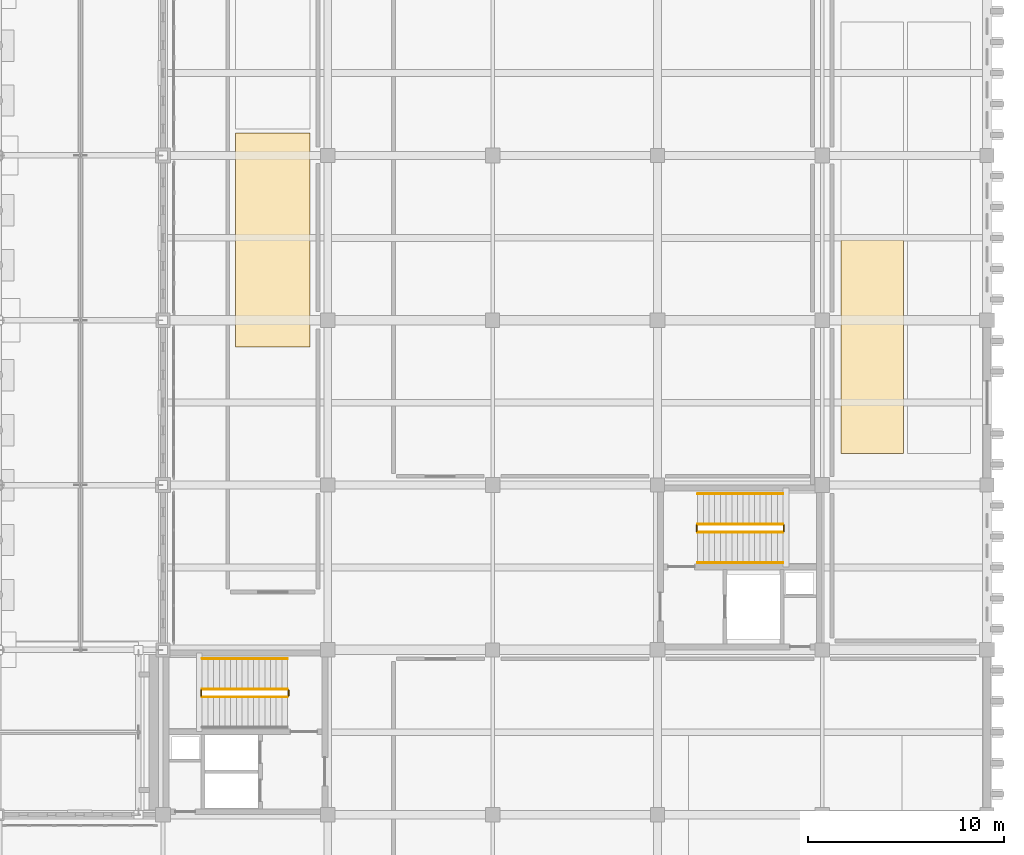
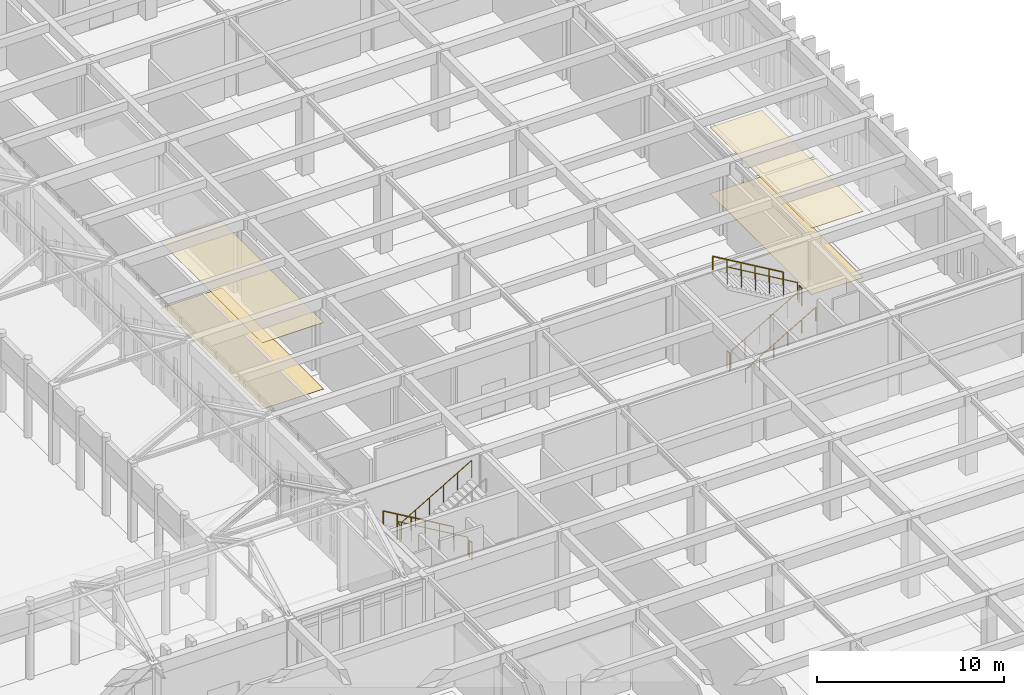
# One storey, part 140 of 143: 11 railings, 4 coverings.
"""IFC4 building model written with IfcOpenShell, lengths in metres."""

from ifc_helpers import new_model, si_unit, direction, frame, origin, origin_2d, place, context, subcontext, project, spatial, rectangle, circle, extrude, material, layer, layer_set, type_object, element, save


model = new_model("IFC4")

# Units and contexts
model_context = context("Model", 3, precision=1e-05, world=origin(), true_north=direction((0.0, 1.0)))
body_context = subcontext(model_context, "Body", "Model", "MODEL_VIEW")
ifc_project = project(units=[si_unit("LENGTHUNIT", "METRE"), si_unit("AREAUNIT", "SQUARE_METRE"), si_unit("VOLUMEUNIT", "CUBIC_METRE"), si_unit("PLANEANGLEUNIT", "RADIAN"), si_unit("MASSUNIT", "GRAM", prefix="KILO")], contexts=[model_context])

# Site, building, storey
site_placement = place(None, origin())
site = spatial("IfcSite", under=ifc_project, at=site_placement, CompositionType="ELEMENT")
building_placement = place(site_placement, origin())
building = spatial("IfcBuilding", under=site, at=building_placement, Name="Kveldsbrygga Polytechnic", CompositionType="ELEMENT")
storey_placement = place(building_placement, origin())
storey = spatial("IfcBuildingStorey", under=building, at=storey_placement, Name="L00", CompositionType="ELEMENT", Elevation=0.0)

# Coverings
ifc_material_1 = material(Name="Acoustic mineral baffle ceiling")
ifc_layer_1 = layer(ifc_material_1, 0.030029296875)
ifc_layer_set_1 = layer_set([ifc_layer_1], Name="Acoustic mineral baffle ceiling")
covering_type_1 = type_object("IfcCoveringType", Name="COV-CEIL-AC30", PredefinedType="CEILING", material=ifc_layer_set_1)
covering_1_placement = place(storey_placement, frame((162.14990234375, 49.050048828125, 4.330078125), z_axis=(0.0, 0.0, 1.0), x_axis=(1.0, 0.0, 0.0)))
element("IfcCovering", 1, at=covering_1_placement, inside=storey, type_object=covering_type_1, Name="Acoustic Ceiling SP-L00-LAB2-WS", PredefinedType="CEILING", context=body_context, shape_type="SweptSolid", body=[
    extrude(rectangle(XDim=3.199951171875, YDim=10.89990234375, at=origin_2d()), origin(), (0.0, 0.0, 1.0), 0.030029296875),
])
covering_2_placement = place(storey_placement, frame((131.60009765625, 54.5, 4.330078125), z_axis=(0.0, 0.0, 1.0), x_axis=(1.0, 0.0, 0.0)))
element("IfcCovering", 2, at=covering_2_placement, inside=storey, type_object=covering_type_1, Name="Acoustic Ceiling SP-L00-LAB3-S", PredefinedType="CEILING", context=body_context, shape_type="SweptSolid", body=[
    extrude(rectangle(XDim=3.800048828125, YDim=10.89990234375, at=origin_2d()), origin(), (0.0, 0.0, 1.0), 0.030029296875),
])
ifc_material_2 = material(Name="Heavy-duty quartz-filled epoxy resin flooring")
ifc_layer_2 = layer(ifc_material_2, 0.014892578125)
ifc_layer_set_2 = layer_set([ifc_layer_2], Name="Heavy-duty quartz-filled epoxy resin flooring")
covering_type_2 = type_object("IfcCoveringType", Name="COV-FLR-EPX15", PredefinedType="FLOORING", material=ifc_layer_set_2)
covering_3_placement = place(storey_placement, frame((162.14990234375, 49.050048828125, 0.0), z_axis=(0.0, 0.0, 1.0), x_axis=(1.0, 0.0, 0.0)))
element("IfcCovering", 3, at=covering_3_placement, inside=storey, type_object=covering_type_2, Name="Room Flooring SP-L00-LAB2-WS", PredefinedType="FLOORING", context=body_context, shape_type="SweptSolid", body=[
    extrude(rectangle(XDim=3.199951171875, YDim=10.89990234375, at=origin_2d()), origin(), (0.0, 0.0, 1.0), 0.014892578125),
])
covering_4_placement = place(storey_placement, frame((131.60009765625, 54.5, 0.0), z_axis=(0.0, 0.0, 1.0), x_axis=(1.0, 0.0, 0.0)))
element("IfcCovering", 4, at=covering_4_placement, inside=storey, type_object=covering_type_2, Name="Room Flooring SP-L00-LAB3-S", PredefinedType="FLOORING", context=body_context, shape_type="SweptSolid", body=[
    extrude(rectangle(XDim=3.800048828125, YDim=10.89990234375, at=origin_2d()), origin(), (0.0, 0.0, 1.0), 0.014892578125),
])

# Railings
ifc_material_3 = material(Name="Steel S355", Category="steel")
railing_type_1 = type_object("IfcRailingType", Name="RL-STAIR-GRD", PredefinedType="GUARDRAIL", material=ifc_material_3)
railing_1_placement = place(storey_placement, frame((132.35009765625, 31.60009765625, 0.169921875)))
element("IfcRailing", 5, at=railing_1_placement, inside=storey, type_object=railing_type_1, Name="L00 ST-1 stair guard 1", PredefinedType="GUARDRAIL", context=body_context, shape_type="SweptSolid", body=[
    extrude(circle(Radius=0.02392578125, at=origin_2d()), frame((0.0, 0.0, 1.1259765625), z_axis=(-0.862698698498, 0.0, 0.505718257145), x_axis=(0.0, -1.0, 0.0)), (0.0, 0.0, 1.0), 5.04248046875),
    extrude(circle(Radius=0.02099609375, at=origin_2d()), origin(), (0.0, 0.0, 1.0), 1.097900390625),
    extrude(circle(Radius=0.02099609375, at=origin_2d()), frame((-0.8701171875, 0.0, 0.510009765625)), (0.0, 0.0, 1.0), 1.097900390625),
    extrude(circle(Radius=0.02099609375, at=origin_2d()), frame((-1.739990234375, 0.0, 1.02001953125)), (0.0, 0.0, 1.0), 1.097900390625),
    extrude(circle(Radius=0.02099609375, at=origin_2d()), frame((-2.610107421875, 0.0, 1.530029296875)), (0.0, 0.0, 1.0), 1.097900390625),
    extrude(circle(Radius=0.02099609375, at=origin_2d()), frame((-3.47998046875, 0.0, 2.0400390625)), (0.0, 0.0, 1.0), 1.097900390625),
    extrude(circle(Radius=0.02099609375, at=origin_2d()), frame((-4.35009765625, 0.0, 2.550048828125)), (0.0, 0.0, 1.0), 1.097900390625),
])
railing_2_placement = place(storey_placement, frame((127.949951171875, 31.550048828125, 2.719970703125)))
element("IfcRailing", 6, at=railing_2_placement, inside=storey, type_object=railing_type_1, Name="L00 ST-1 stair guard 2", PredefinedType="GUARDRAIL", context=body_context, shape_type="SweptSolid", body=[
    extrude(circle(Radius=0.02392578125, at=origin_2d()), frame((0.0, 0.0, 1.1259765625), z_axis=(0.0, -1.0, 0.0), x_axis=(1.0, 0.0, 0.0)), (0.0, 0.0, 1.0), 0.300048828125),
    extrude(circle(Radius=0.02099609375, at=origin_2d()), origin(), (0.0, 0.0, 1.0), 1.097900390625),
    extrude(circle(Radius=0.02099609375, at=origin_2d()), frame((0.0, -0.300048828125, 0.0)), (0.0, 0.0, 1.0), 1.097900390625),
])
railing_3_placement = place(storey_placement, frame((128.0, 31.199951171875, 2.889892578125)))
element("IfcRailing", 7, at=railing_3_placement, inside=storey, type_object=railing_type_1, Name="L00 ST-1 stair guard 3", PredefinedType="GUARDRAIL", context=body_context, shape_type="SweptSolid", body=[
    extrude(circle(Radius=0.02392578125, at=origin_2d()), frame((0.0, 0.0, 1.1259765625), z_axis=(0.862698698498, 0.0, 0.505718257145), x_axis=(0.0, 1.0, 0.0)), (0.0, 0.0, 1.0), 5.04248046875),
    extrude(circle(Radius=0.02099609375, at=origin_2d()), origin(), (0.0, 0.0, 1.0), 1.097900390625),
    extrude(circle(Radius=0.02099609375, at=origin_2d()), frame((0.8701171875, 0.0, 0.510009765625)), (0.0, 0.0, 1.0), 1.097900390625),
    extrude(circle(Radius=0.02099609375, at=origin_2d()), frame((1.739990234375, 0.0, 1.02001953125)), (0.0, 0.0, 1.0), 1.097900390625),
    extrude(circle(Radius=0.02099609375, at=origin_2d()), frame((2.610107421875, 0.0, 1.530029296875)), (0.0, 0.0, 1.0), 1.097900390625),
    extrude(circle(Radius=0.02099609375, at=origin_2d()), frame((3.47998046875, 0.0, 2.0400390625)), (0.0, 0.0, 1.0), 1.097900390625),
    extrude(circle(Radius=0.02099609375, at=origin_2d()), frame((4.35009765625, 0.0, 2.550048828125)), (0.0, 0.0, 1.0), 1.097900390625),
])
railing_4_placement = place(storey_placement, frame((132.39990234375, 31.550048828125, 0.0)))
element("IfcRailing", 8, at=railing_4_placement, inside=storey, type_object=railing_type_1, Name="L00 ST-1 stair guard 4", PredefinedType="GUARDRAIL", context=body_context, shape_type="SweptSolid", body=[
    extrude(circle(Radius=0.02392578125, at=origin_2d()), frame((0.0, 0.0, 1.1259765625), z_axis=(0.0, -1.0, 0.0), x_axis=(1.0, 0.0, 0.0)), (0.0, 0.0, 1.0), 0.300048828125),
    extrude(circle(Radius=0.02099609375, at=origin_2d()), origin(), (0.0, 0.0, 1.0), 1.097900390625),
    extrude(circle(Radius=0.02099609375, at=origin_2d()), frame((0.0, -0.300048828125, 0.0)), (0.0, 0.0, 1.0), 1.097900390625),
])
railing_5_placement = place(storey_placement, frame((153.25, 39.60009765625, 0.169921875)))
element("IfcRailing", 9, at=railing_5_placement, inside=storey, type_object=railing_type_1, Name="L00 ST-3 stair guard 1", PredefinedType="GUARDRAIL", context=body_context, shape_type="SweptSolid", body=[
    extrude(circle(Radius=0.02392578125, at=origin_2d()), frame((0.0, 0.0, 1.1259765625), z_axis=(0.862698698498, 0.0, 0.505718257145), x_axis=(0.0, 1.0, 0.0)), (0.0, 0.0, 1.0), 5.04248046875),
    extrude(circle(Radius=0.02099609375, at=origin_2d()), origin(), (0.0, 0.0, 1.0), 1.097900390625),
    extrude(circle(Radius=0.02099609375, at=origin_2d()), frame((0.8701171875, 0.0, 0.510009765625)), (0.0, 0.0, 1.0), 1.097900390625),
    extrude(circle(Radius=0.02099609375, at=origin_2d()), frame((1.739990234375, 0.0, 1.02001953125)), (0.0, 0.0, 1.0), 1.097900390625),
    extrude(circle(Radius=0.02099609375, at=origin_2d()), frame((2.610107421875, 0.0, 1.530029296875)), (0.0, 0.0, 1.0), 1.097900390625),
    extrude(circle(Radius=0.02099609375, at=origin_2d()), frame((3.47998046875, 0.0, 2.0400390625)), (0.0, 0.0, 1.0), 1.097900390625),
    extrude(circle(Radius=0.02099609375, at=origin_2d()), frame((4.35009765625, 0.0, 2.550048828125)), (0.0, 0.0, 1.0), 1.097900390625),
])
railing_6_placement = place(storey_placement, frame((157.64990234375, 39.64990234375, 2.719970703125)))
element("IfcRailing", 10, at=railing_6_placement, inside=storey, type_object=railing_type_1, Name="L00 ST-3 stair guard 2", PredefinedType="GUARDRAIL", context=body_context, shape_type="SweptSolid", body=[
    extrude(circle(Radius=0.02392578125, at=origin_2d()), frame((0.0, 0.0, 1.1259765625), z_axis=(0.0, 1.0, 0.0), x_axis=(-1.0, 0.0, 0.0)), (0.0, 0.0, 1.0), 0.300048828125),
    extrude(circle(Radius=0.02099609375, at=origin_2d()), origin(), (0.0, 0.0, 1.0), 1.097900390625),
    extrude(circle(Radius=0.02099609375, at=origin_2d()), frame((0.0, 0.300048828125, 0.0)), (0.0, 0.0, 1.0), 1.097900390625),
])
railing_7_placement = place(storey_placement, frame((157.60009765625, 40.0, 2.889892578125)))
element("IfcRailing", 11, at=railing_7_placement, inside=storey, type_object=railing_type_1, Name="L00 ST-3 stair guard 3", PredefinedType="GUARDRAIL", context=body_context, shape_type="SweptSolid", body=[
    extrude(circle(Radius=0.02392578125, at=origin_2d()), frame((0.0, 0.0, 1.1259765625), z_axis=(-0.862698698498, 0.0, 0.505718257145), x_axis=(0.0, -1.0, 0.0)), (0.0, 0.0, 1.0), 5.04248046875),
    extrude(circle(Radius=0.02099609375, at=origin_2d()), origin(), (0.0, 0.0, 1.0), 1.097900390625),
    extrude(circle(Radius=0.02099609375, at=origin_2d()), frame((-0.8701171875, 0.0, 0.510009765625)), (0.0, 0.0, 1.0), 1.097900390625),
    extrude(circle(Radius=0.02099609375, at=origin_2d()), frame((-1.739990234375, 0.0, 1.02001953125)), (0.0, 0.0, 1.0), 1.097900390625),
    extrude(circle(Radius=0.02099609375, at=origin_2d()), frame((-2.610107421875, 0.0, 1.530029296875)), (0.0, 0.0, 1.0), 1.097900390625),
    extrude(circle(Radius=0.02099609375, at=origin_2d()), frame((-3.47998046875, 0.0, 2.0400390625)), (0.0, 0.0, 1.0), 1.097900390625),
    extrude(circle(Radius=0.02099609375, at=origin_2d()), frame((-4.35009765625, 0.0, 2.550048828125)), (0.0, 0.0, 1.0), 1.097900390625),
])
railing_8_placement = place(storey_placement, frame((153.199951171875, 39.64990234375, 0.0)))
element("IfcRailing", 12, at=railing_8_placement, inside=storey, type_object=railing_type_1, Name="L00 ST-3 stair guard 4", PredefinedType="GUARDRAIL", context=body_context, shape_type="SweptSolid", body=[
    extrude(circle(Radius=0.02392578125, at=origin_2d()), frame((0.0, 0.0, 1.1259765625), z_axis=(0.0, 1.0, 0.0), x_axis=(-1.0, 0.0, 0.0)), (0.0, 0.0, 1.0), 0.300048828125),
    extrude(circle(Radius=0.02099609375, at=origin_2d()), origin(), (0.0, 0.0, 1.0), 1.097900390625),
    extrude(circle(Radius=0.02099609375, at=origin_2d()), frame((0.0, 0.300048828125, 0.0)), (0.0, 0.0, 1.0), 1.097900390625),
])
railing_type_2 = type_object("IfcRailingType", Name="RL-STAIR-HND", PredefinedType="HANDRAIL", material=ifc_material_3)
railing_9_placement = place(storey_placement, frame((132.35009765625, 33.14990234375, 0.169921875)))
element("IfcRailing", 13, at=railing_9_placement, inside=storey, type_object=railing_type_2, Name="L00 ST-1 stair handrail 1", PredefinedType="HANDRAIL", context=body_context, shape_type="SweptSolid", body=[
    extrude(circle(Radius=0.02392578125, at=origin_2d()), frame((0.0, 0.0, 0.8759765625), z_axis=(-0.862698698498, 0.0, 0.505718257145), x_axis=(0.0, -1.0, 0.0)), (0.0, 0.0, 1.0), 5.04248046875),
    extrude(circle(Radius=0.02099609375, at=origin_2d()), origin(), (0.0, 0.0, 1.0), 0.847900390625),
    extrude(circle(Radius=0.02099609375, at=origin_2d()), frame((-0.8701171875, 0.0, 0.510009765625)), (0.0, 0.0, 1.0), 0.847900390625),
    extrude(circle(Radius=0.02099609375, at=origin_2d()), frame((-1.739990234375, 0.0, 1.02001953125)), (0.0, 0.0, 1.0), 0.847900390625),
    extrude(circle(Radius=0.02099609375, at=origin_2d()), frame((-2.610107421875, 0.0, 1.530029296875)), (0.0, 0.0, 1.0), 0.847900390625),
    extrude(circle(Radius=0.02099609375, at=origin_2d()), frame((-3.47998046875, 0.0, 2.0400390625)), (0.0, 0.0, 1.0), 0.847900390625),
    extrude(circle(Radius=0.02099609375, at=origin_2d()), frame((-4.35009765625, 0.0, 2.550048828125)), (0.0, 0.0, 1.0), 0.847900390625),
])
railing_10_placement = place(storey_placement, frame((153.25, 38.050048828125, 0.169921875)))
element("IfcRailing", 14, at=railing_10_placement, inside=storey, type_object=railing_type_2, Name="L00 ST-3 stair handrail 1", PredefinedType="HANDRAIL", context=body_context, shape_type="SweptSolid", body=[
    extrude(circle(Radius=0.02392578125, at=origin_2d()), frame((0.0, 0.0, 0.8759765625), z_axis=(0.862698698498, 0.0, 0.505718257145), x_axis=(0.0, 1.0, 0.0)), (0.0, 0.0, 1.0), 5.04248046875),
    extrude(circle(Radius=0.02099609375, at=origin_2d()), origin(), (0.0, 0.0, 1.0), 0.847900390625),
    extrude(circle(Radius=0.02099609375, at=origin_2d()), frame((0.8701171875, 0.0, 0.510009765625)), (0.0, 0.0, 1.0), 0.847900390625),
    extrude(circle(Radius=0.02099609375, at=origin_2d()), frame((1.739990234375, 0.0, 1.02001953125)), (0.0, 0.0, 1.0), 0.847900390625),
    extrude(circle(Radius=0.02099609375, at=origin_2d()), frame((2.610107421875, 0.0, 1.530029296875)), (0.0, 0.0, 1.0), 0.847900390625),
    extrude(circle(Radius=0.02099609375, at=origin_2d()), frame((3.47998046875, 0.0, 2.0400390625)), (0.0, 0.0, 1.0), 0.847900390625),
    extrude(circle(Radius=0.02099609375, at=origin_2d()), frame((4.35009765625, 0.0, 2.550048828125)), (0.0, 0.0, 1.0), 0.847900390625),
])
railing_11_placement = place(storey_placement, frame((157.60009765625, 41.550048828125, 2.889892578125)))
element("IfcRailing", 15, at=railing_11_placement, inside=storey, type_object=railing_type_2, Name="L00 ST-3 stair handrail 2", PredefinedType="HANDRAIL", context=body_context, shape_type="SweptSolid", body=[
    extrude(circle(Radius=0.02392578125, at=origin_2d()), frame((0.0, 0.0, 0.8759765625), z_axis=(-0.862698698498, 0.0, 0.505718257145), x_axis=(0.0, -1.0, 0.0)), (0.0, 0.0, 1.0), 5.04248046875),
    extrude(circle(Radius=0.02099609375, at=origin_2d()), origin(), (0.0, 0.0, 1.0), 0.847900390625),
    extrude(circle(Radius=0.02099609375, at=origin_2d()), frame((-0.8701171875, 0.0, 0.510009765625)), (0.0, 0.0, 1.0), 0.847900390625),
    extrude(circle(Radius=0.02099609375, at=origin_2d()), frame((-1.739990234375, 0.0, 1.02001953125)), (0.0, 0.0, 1.0), 0.847900390625),
    extrude(circle(Radius=0.02099609375, at=origin_2d()), frame((-2.610107421875, 0.0, 1.530029296875)), (0.0, 0.0, 1.0), 0.847900390625),
    extrude(circle(Radius=0.02099609375, at=origin_2d()), frame((-3.47998046875, 0.0, 2.0400390625)), (0.0, 0.0, 1.0), 0.847900390625),
    extrude(circle(Radius=0.02099609375, at=origin_2d()), frame((-4.35009765625, 0.0, 2.550048828125)), (0.0, 0.0, 1.0), 0.847900390625),
])

save(model, "model.ifc")
